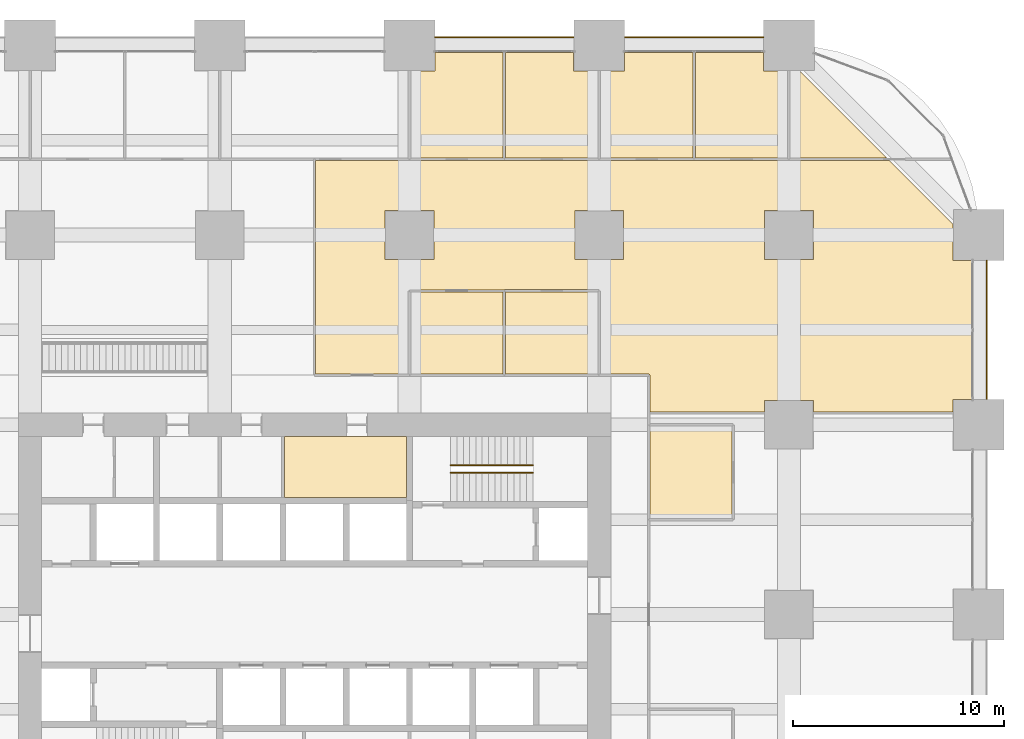
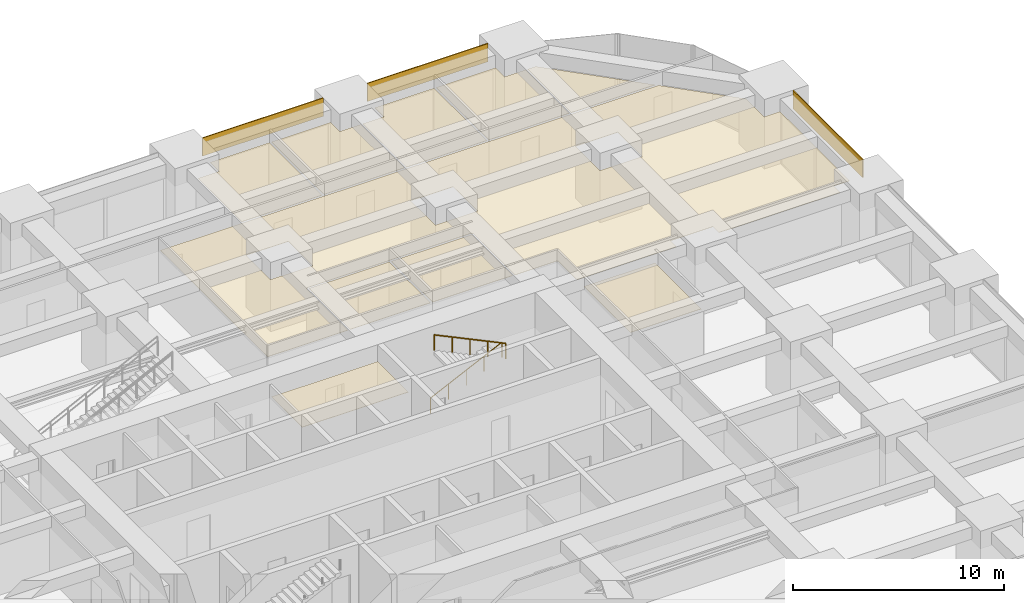
# One storey, part 45 of 45: 13 coverings, 2 railings.
"""IFC4 building model written with IfcOpenShell, lengths in metres."""

from ifc_helpers import new_model, si_unit, direction, frame, frame_2d, origin, origin_2d, place, context, subcontext, project, spatial, polyline, rectangle, circle, outline, extrude, material, layer, layer_set, type_object, element, save


model = new_model("IFC4")

# Units and contexts
model_context = context("Model", 3, precision=1e-05, world=origin(), true_north=direction((0.0, 1.0)))
body_context = subcontext(model_context, "Body", "Model", "MODEL_VIEW")
ifc_project = project(units=[si_unit("LENGTHUNIT", "METRE"), si_unit("AREAUNIT", "SQUARE_METRE"), si_unit("VOLUMEUNIT", "CUBIC_METRE"), si_unit("PLANEANGLEUNIT", "RADIAN"), si_unit("MASSUNIT", "GRAM", prefix="KILO")], contexts=[model_context])

# Site, building, storey
site_placement = place(None, origin())
site = spatial("IfcSite", under=ifc_project, at=site_placement, CompositionType="ELEMENT")
building_placement = place(site_placement, origin())
building = spatial("IfcBuilding", under=site, at=building_placement, Name="Zorevar Civic Tower", CompositionType="ELEMENT")
storey_placement = place(building_placement, frame((0.0, 0.0, 39.800048828125)))
storey = spatial("IfcBuildingStorey", under=building, at=storey_placement, Name="L09", CompositionType="ELEMENT", Elevation=39.800048828125)

# Railings
ifc_material_1 = material(Name="Black steel handrail", Category="steel")
railing_type = type_object("IfcRailingType", Name="Handrail HR1 900", PredefinedType="HANDRAIL", material=ifc_material_1)
railing_1_placement = place(storey_placement, frame((37.949951171875, 34.074951171875, 0.142822265625)))
element("IfcRailing", 1, at=railing_1_placement, inside=storey, type_object=railing_type, Name="Handrail HR1 ST2 L09", PredefinedType="HANDRAIL", context=body_context, shape_type="SweptSolid", body=[
    extrude(circle(Radius=0.02392578125, at=origin_2d()), frame((0.0, 0.0, 0.8759765625), z_axis=(0.902863652845, 0.0, 0.429926998885), x_axis=(0.0, 1.0, 0.0)), (0.0, 0.0, 1.0), 4.31982421875),
    extrude(circle(Radius=0.02099609375, at=origin_2d()), origin(), (0.0, 0.0, 1.0), 0.851806640625),
    extrude(circle(Radius=0.02099609375, at=origin_2d()), frame((0.97509765625, 0.0, 0.46435546875)), (0.0, 0.0, 1.0), 0.851806640625),
    extrude(circle(Radius=0.02099609375, at=origin_2d()), frame((1.9501953125, 0.0, 0.9287109375)), (0.0, 0.0, 1.0), 0.851806640625),
    extrude(circle(Radius=0.02099609375, at=origin_2d()), frame((2.925048828125, 0.0, 1.392822265625)), (0.0, 0.0, 1.0), 0.851806640625),
    extrude(circle(Radius=0.02099609375, at=origin_2d()), frame((3.900146484375, 0.0, 1.857177734375)), (0.0, 0.0, 1.0), 0.851806640625),
])
railing_2_placement = place(storey_placement, frame((41.85009765625, 33.72509765625, 2.142822265625)))
element("IfcRailing", 2, at=railing_2_placement, inside=storey, type_object=railing_type, Name="Handrail HR1 ST2 L09", PredefinedType="HANDRAIL", context=body_context, shape_type="SweptSolid", body=[
    extrude(circle(Radius=0.02392578125, at=origin_2d()), frame((0.0, 0.0, 0.8759765625), z_axis=(-0.902863652845, 0.0, 0.429926998885), x_axis=(0.0, -1.0, 0.0)), (0.0, 0.0, 1.0), 4.31982421875),
    extrude(circle(Radius=0.02099609375, at=origin_2d()), origin(), (0.0, 0.0, 1.0), 0.851806640625),
    extrude(circle(Radius=0.02099609375, at=origin_2d()), frame((-0.97509765625, 0.0, 0.46435546875)), (0.0, 0.0, 1.0), 0.851806640625),
    extrude(circle(Radius=0.02099609375, at=origin_2d()), frame((-1.9501953125, 0.0, 0.9287109375)), (0.0, 0.0, 1.0), 0.851806640625),
    extrude(circle(Radius=0.02099609375, at=origin_2d()), frame((-2.925048828125, 0.0, 1.392822265625)), (0.0, 0.0, 1.0), 0.851806640625),
    extrude(circle(Radius=0.02099609375, at=origin_2d()), frame((-3.900146484375, 0.0, 1.857177734375)), (0.0, 0.0, 1.0), 0.851806640625),
])

# Coverings
ifc_material_2 = material(Name="Black anodised aluminium spandrel panel", Category="aluminium")
ifc_layer_1 = layer(ifc_material_2, 0.050048828125)
ifc_layer_set_1 = layer_set([ifc_layer_1], Name="Spandrel cladding SP1")
covering_type_1 = type_object("IfcCoveringType", Name="Spandrel cladding SP1", PredefinedType="CLADDING", material=ifc_layer_set_1)
for number, where, z_axis, x_axis, name in (
    (3, (37.199951171875, 54.375, 2.949951171875), (0.0, 0.0, 1.0), (1.0, 0.0, 0.0), "Spandrel cladding L10"),
    (4, (46.199951171875, 54.375, 2.949951171875), (0.0, 0.0, 1.0), (1.0, 0.0, 0.0), "Spandrel cladding L10"),
    (5, (63.375, 37.199951171875, 2.949951171875), (0.0, 0.0, 1.0), (0.0, 1.0, 0.0), "Spandrel cladding L10"),
):
    element("IfcCovering", number, at=place(storey_placement, frame(where, z_axis=z_axis, x_axis=x_axis)), inside=storey, type_object=covering_type_1, Name=name, PredefinedType="CLADDING", context=body_context, shape_type="SweptSolid", body=[
        extrude(rectangle(XDim=6.60009765625, YDim=0.050048828125, at=frame_2d((3.300048828125, 0.0))), origin(), (0.0, 0.0, 1.0), 1.050048828125),
    ])
ifc_material_3 = material(Name="Mineral fibre tiles on a concealed grid")
ifc_layer_2 = layer(ifc_material_3, 0.02001953125)
ifc_layer_set_2 = layer_set([ifc_layer_2], Name="Suspended ceiling SC1")
covering_type_2 = type_object("IfcCoveringType", Name="Suspended ceiling SC1", PredefinedType="CEILING", material=ifc_layer_set_2)
covering_1_placement = place(storey_placement, frame((0.0, 0.0, 3.0)))
element("IfcCovering", 6, at=covering_1_placement, inside=storey, type_object=covering_type_2, Name="Ceiling L09-08", PredefinedType="CEILING", context=body_context, shape_type="SweptSolid", body=[
    extrude(outline(polyline([(35.85009765625, 32.550048828125), (35.85009765625, 35.449951171875), (30.06005859375, 35.449951171875), (30.06005859375, 32.550048828125), (35.85009765625, 32.550048828125)])), origin(), (0.0, 0.0, 1.0), 0.02001953125),
])
covering_2_placement = place(storey_placement, frame((0.0, 0.0, 3.0)))
element("IfcCovering", 7, at=covering_2_placement, inside=storey, type_object=covering_type_2, Name="Ceiling L09-31", PredefinedType="CEILING", context=body_context, shape_type="SweptSolid", body=[
    extrude(outline(polyline([(36.06005859375, 48.659912109375), (36.06005859375, 52.7900390625), (37.2099609375, 52.7900390625), (37.2099609375, 53.64990234375), (40.43994140625, 53.64990234375), (40.43994140625, 48.659912109375), (36.06005859375, 48.659912109375)])), origin(), (0.0, 0.0, 1.0), 0.02001953125),
])
covering_3_placement = place(storey_placement, frame((0.0, 0.0, 3.0)))
element("IfcCovering", 8, at=covering_3_placement, inside=storey, type_object=covering_type_2, Name="Ceiling L09-32", PredefinedType="CEILING", context=body_context, shape_type="SweptSolid", body=[
    extrude(outline(polyline([(40.56005859375, 48.659912109375), (40.56005859375, 53.64990234375), (43.7900390625, 53.64990234375), (43.7900390625, 52.7900390625), (44.93994140625, 52.7900390625), (44.93994140625, 48.659912109375), (40.56005859375, 48.659912109375)])), origin(), (0.0, 0.0, 1.0), 0.02001953125),
])
covering_4_placement = place(storey_placement, frame((0.0, 0.0, 3.0)))
element("IfcCovering", 9, at=covering_4_placement, inside=storey, type_object=covering_type_2, Name="Ceiling L09-33", PredefinedType="CEILING", context=body_context, shape_type="SweptSolid", body=[
    extrude(outline(polyline([(45.06005859375, 48.659912109375), (45.06005859375, 52.7900390625), (46.2099609375, 52.7900390625), (46.2099609375, 53.64990234375), (49.43994140625, 53.64990234375), (49.43994140625, 48.659912109375), (45.06005859375, 48.659912109375)])), origin(), (0.0, 0.0, 1.0), 0.02001953125),
])
covering_5_placement = place(storey_placement, frame((0.0, 0.0, 3.0)))
element("IfcCovering", 10, at=covering_5_placement, inside=storey, type_object=covering_type_2, Name="Ceiling L09-34", PredefinedType="CEILING", context=body_context, shape_type="SweptSolid", body=[
    extrude(outline(polyline([(49.56005859375, 48.659912109375), (49.56005859375, 53.64990234375), (52.7900390625, 53.64990234375), (52.7900390625, 52.7900390625), (53.93994140625, 52.7900390625), (53.93994140625, 48.659912109375), (49.56005859375, 48.659912109375)])), origin(), (0.0, 0.0, 1.0), 0.02001953125),
])
covering_6_placement = place(storey_placement, frame((0.0, 0.0, 3.0)))
element("IfcCovering", 11, at=covering_6_placement, inside=storey, type_object=covering_type_2, Name="Ceiling L09-36", PredefinedType="CEILING", context=body_context, shape_type="SweptSolid", body=[
    extrude(outline(polyline([(40.43994140625, 42.300048828125), (40.43994140625, 38.409912109375), (36.06005859375, 38.409912109375), (36.06005859375, 42.300048828125), (40.43994140625, 42.300048828125)])), origin(), (0.0, 0.0, 1.0), 0.02001953125),
])
covering_7_placement = place(storey_placement, frame((0.0, 0.0, 3.0)))
element("IfcCovering", 12, at=covering_7_placement, inside=storey, type_object=covering_type_2, Name="Ceiling L09-37", PredefinedType="CEILING", context=body_context, shape_type="SweptSolid", body=[
    extrude(outline(polyline([(40.56005859375, 38.409912109375), (40.56005859375, 42.2900390625), (44.93994140625, 42.2900390625), (44.93994140625, 38.409912109375), (40.56005859375, 38.409912109375)])), origin(), (0.0, 0.0, 1.0), 0.02001953125),
])
covering_8_placement = place(storey_placement, frame((0.0, 0.0, 3.0)))
element("IfcCovering", 13, at=covering_8_placement, inside=storey, type_object=covering_type_2, Name="Ceiling L09-39", PredefinedType="CEILING", context=body_context, shape_type="SweptSolid", body=[
    extrude(outline(polyline([(47.409912109375, 31.56005859375), (47.409912109375, 35.93994140625), (51.2900390625, 35.93994140625), (51.2900390625, 31.56005859375), (47.409912109375, 31.56005859375)])), origin(), (0.0, 0.0, 1.0), 0.02001953125),
])
covering_9_placement = place(storey_placement, frame((0.0, 0.0, 3.0)))
element("IfcCovering", 14, at=covering_9_placement, inside=storey, type_object=covering_type_2, Name="Ceiling L09-43", PredefinedType="CEILING", context=body_context, shape_type="SweptSolid", body=[
    extrude(outline(polyline([(54.06005859375, 48.659912109375), (54.06005859375, 52.7900390625), (54.5029296875, 52.7900390625), (58.6328125, 48.659912109375), (54.06005859375, 48.659912109375)])), origin(), (0.0, 0.0, 1.0), 0.02001953125),
])
covering_10_placement = place(storey_placement, frame((0.0, 0.0, 3.0)))
element("IfcCovering", 15, at=covering_10_placement, inside=storey, type_object=covering_type_2, Name="Ceiling L09-47", PredefinedType="CEILING", context=body_context, shape_type="SweptSolid", body=[
    extrude(outline(polyline([(45.06005859375, 42.35009765625), (45.0, 42.35009765625), (45.0, 42.409912109375), (40.5, 42.409912109375), (40.5, 42.39990234375), (36.0, 42.39990234375), (36.0, 42.35009765625), (35.93994140625, 42.35009765625), (35.93994140625, 38.39990234375), (31.550048828125, 38.39990234375), (31.550048828125, 48.5400390625), (58.7529296875, 48.5400390625), (61.7900390625, 45.5029296875), (61.7900390625, 43.7900390625), (62.64990234375, 43.7900390625), (62.64990234375, 37.2099609375), (61.7900390625, 37.2099609375), (61.7900390625, 36.60009765625), (55.159912109375, 36.60009765625), (55.159912109375, 37.159912109375), (52.840087890625, 37.159912109375), (52.840087890625, 36.60009765625), (47.39990234375, 36.60009765625), (47.39990234375, 38.35009765625), (47.35009765625, 38.35009765625), (47.35009765625, 38.39990234375), (45.06005859375, 38.39990234375), (45.06005859375, 42.35009765625)]), holes=[polyline([(34.840087890625, 43.840087890625), (37.159912109375, 43.840087890625), (37.159912109375, 46.159912109375), (34.840087890625, 46.159912109375), (34.840087890625, 43.840087890625)]), polyline([(43.840087890625, 46.159912109375), (43.840087890625, 43.840087890625), (46.159912109375, 43.840087890625), (46.159912109375, 46.159912109375), (43.840087890625, 46.159912109375)]), polyline([(55.159912109375, 43.840087890625), (55.159912109375, 46.159912109375), (52.840087890625, 46.159912109375), (52.840087890625, 43.840087890625), (55.159912109375, 43.840087890625)])]), origin(), (0.0, 0.0, 1.0), 0.02001953125),
])

save(model, "model.ifc")
